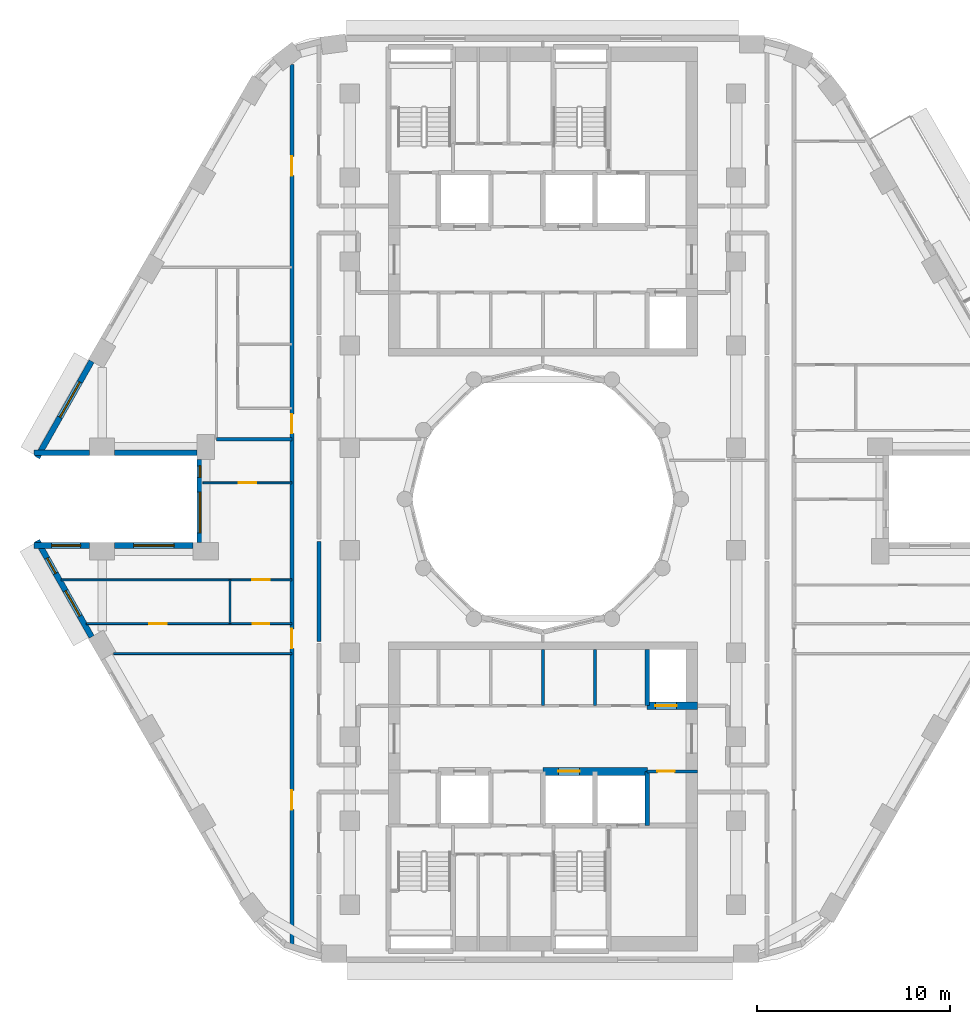
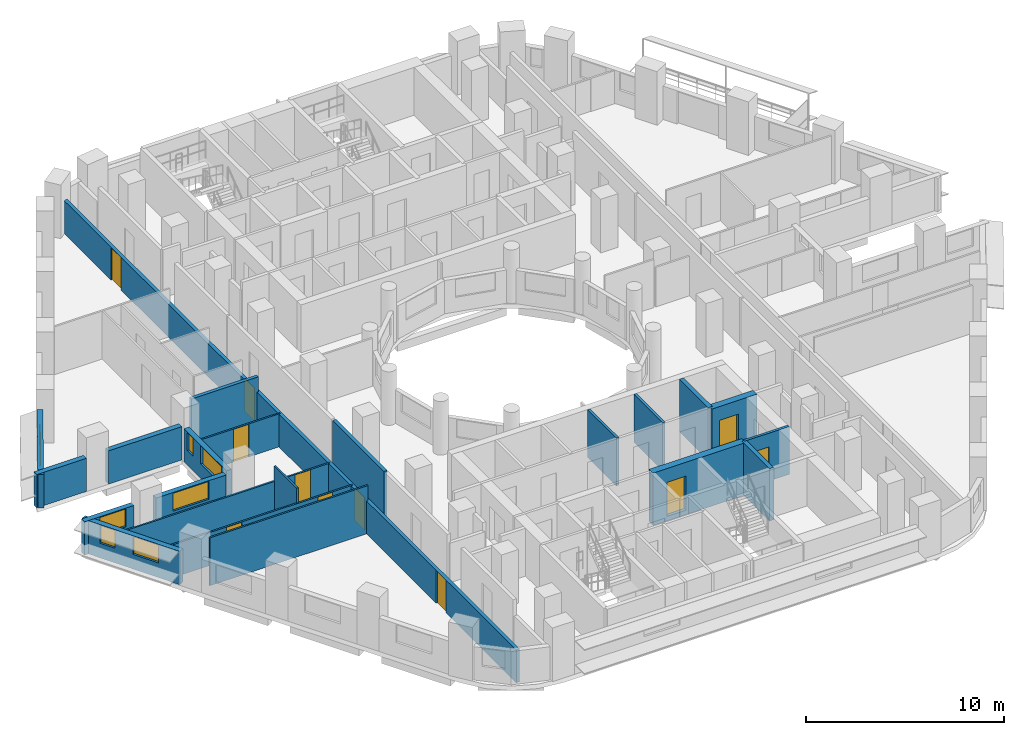
# One storey, part 4 of 14: 22 walls, 11 doors, 7 windows, 18 openings.
"""IFC4 building model written with IfcOpenShell, lengths in metres."""

from ifc_helpers import new_model, si_unit, direction, frame, frame_2d, origin, place, context, subcontext, project, spatial, rectangle, extrude, material, layer, layer_set, type_object, element, fill, save


model = new_model("IFC4")

# Units and contexts
model_context = context("Model", 3, precision=1e-05, world=origin(), true_north=direction((0.0, 1.0)))
body_context = subcontext(model_context, "Body", "Model", "MODEL_VIEW")
ifc_project = project(units=[si_unit("LENGTHUNIT", "METRE"), si_unit("AREAUNIT", "SQUARE_METRE"), si_unit("VOLUMEUNIT", "CUBIC_METRE"), si_unit("PLANEANGLEUNIT", "RADIAN"), si_unit("MASSUNIT", "GRAM", prefix="KILO")], contexts=[model_context])

# Site, building, storey
site_placement = place(None, origin())
site = spatial("IfcSite", under=ifc_project, at=site_placement, CompositionType="ELEMENT")
building_placement = place(site_placement, origin())
building = spatial("IfcBuilding", under=site, at=building_placement, Name="Nakaniwa Court", CompositionType="ELEMENT")
storey_placement = place(building_placement, frame((0.0, 0.0, 166.800048828125)))
storey = spatial("IfcBuildingStorey", under=building, at=storey_placement, Name="L44", CompositionType="ELEMENT", Elevation=166.800048828125)

# Wall
ifc_material_1 = material(Name="Acoustic double stud partition")
ifc_layer_1 = layer(ifc_material_1, 0.199951171875)
ifc_layer_set_1 = layer_set([ifc_layer_1], Name="Acoustic double stud partition")
wall_type_1 = type_object("IfcWallType", Name="Acoustic double stud partition 200", PredefinedType="PARTITIONING", material=ifc_layer_set_1)
wall_1_placement = place(storey_placement, frame((68.39990234375, 72.627197265625, 0.0), z_axis=(0.0, 0.0, 1.0), x_axis=(0.0, 1.0, 0.0)))
element("IfcWall", 1, at=wall_1_placement, inside=storey, type_object=wall_type_1, Name="Partition PW-105", PredefinedType="PARTITIONING", context=body_context, shape_type="SweptSolid", body=[
    extrude(rectangle(XDim=5.185546875, YDim=0.199951171875, at=frame_2d((2.5927734375, 0.0))), origin(), (0.0, 0.0, 1.0), 2.949951171875),
])

# Wall, openings, doors
wall_2_placement = place(storey_placement, frame((67.0, 56.833251953125, 0.0), z_axis=(0.0, 0.0, 1.0), x_axis=(0.0, 1.0, 0.0)))
wall_2 = element("IfcWall", 2, at=wall_2_placement, inside=storey, type_object=wall_type_1, Name="Partition PW-110", PredefinedType="PARTITIONING", context=body_context, shape_type="SweptSolid", body=[
    extrude(rectangle(XDim=45.660888671875, YDim=0.199951171875, at=frame_2d((22.83056640625, 0.0))), origin(), (0.0, 0.0, 1.0), 2.030029296875),
])
opening_1_placement = place(wall_2_placement, frame((7.083984375, 0.0, 0.0)))
opening_1 = element("IfcOpeningElement", 3, at=opening_1_placement, cuts=wall_2, Name="Opening D-36-02", PredefinedType="OPENING", context=body_context, shape_type="SweptSolid", body=[
    extrude(rectangle(XDim=1.0, YDim=2.010009765625, at=frame_2d((0.5, 1.0048828125))), frame((0.0, 0.10986328125, 0.0), z_axis=(0.0, -1.0, 0.0), x_axis=(1.0, 0.0, 0.0)), (0.0, 0.0, 1.0), 0.219970703125),
])
opening_2_placement = place(wall_2_placement, frame((15.44189453125, 0.0, 0.0)))
opening_2 = element("IfcOpeningElement", 4, at=opening_2_placement, cuts=wall_2, Name="Opening D-34-03", PredefinedType="OPENING", context=body_context, shape_type="SweptSolid", body=[
    extrude(rectangle(XDim=1.0, YDim=2.010009765625, at=frame_2d((0.5, 1.0048828125))), frame((0.0, 0.10986328125, 0.0), z_axis=(0.0, -1.0, 0.0), x_axis=(1.0, 0.0, 0.0)), (0.0, 0.0, 1.0), 0.219970703125),
])
opening_3_placement = place(wall_2_placement, frame((26.56689453125, 0.0, 0.0)))
opening_3 = element("IfcOpeningElement", 5, at=opening_3_placement, cuts=wall_2, Name="Opening D-34-04", PredefinedType="OPENING", context=body_context, shape_type="SweptSolid", body=[
    extrude(rectangle(XDim=1.0, YDim=2.010009765625, at=frame_2d((0.5, 1.0048828125))), frame((0.0, 0.10986328125, 0.0), z_axis=(0.0, -1.0, 0.0), x_axis=(1.0, 0.0, 0.0)), (0.0, 0.0, 1.0), 0.219970703125),
])
opening_4_placement = place(wall_2_placement, frame((39.912109375, 0.0, 0.0)))
opening_4 = element("IfcOpeningElement", 6, at=opening_4_placement, cuts=wall_2, Name="Opening D-36-03", PredefinedType="OPENING", context=body_context, shape_type="SweptSolid", body=[
    extrude(rectangle(XDim=1.0, YDim=2.010009765625, at=frame_2d((0.5, 1.0048828125))), frame((0.0, 0.10986328125, 0.0), z_axis=(0.0, -1.0, 0.0), x_axis=(1.0, 0.0, 0.0)), (0.0, 0.0, 1.0), 0.219970703125),
])
ifc_material_2 = material(Name="Solid core timber door set, black veneer", Category="wood")
door_type_1 = type_object("IfcDoorType", Name="Flat entrance door 1000 x 2010", OperationType="NOTDEFINED", PredefinedType="DOOR", material=ifc_material_2)
door_1_placement = place(opening_2_placement, origin())
door_1 = element("IfcDoor", 7, at=door_1_placement, inside=storey, type_object=door_type_1, Name="Door D-34-03 L44-044", OperationType="SINGLE_SWING_LEFT", OverallHeight=2.010009765625, OverallWidth=1.0, PredefinedType="DOOR", context=body_context, shape_type="SweptSolid", body=[
    extrude(rectangle(XDim=1.0, YDim=2.010009765625, at=frame_2d((0.5, 1.0048828125))), frame((0.0, 0.02490234375, 0.0), z_axis=(0.0, -1.0, 0.0), x_axis=(1.0, 0.0, 0.0)), (0.0, 0.0, 1.0), 0.050048828125),
])
fill(opening_2, door_1)
door_2_placement = place(opening_3_placement, origin())
door_2 = element("IfcDoor", 8, at=door_2_placement, inside=storey, type_object=door_type_1, Name="Door D-34-04 L44-049", OperationType="SINGLE_SWING_RIGHT", OverallHeight=2.010009765625, OverallWidth=1.0, PredefinedType="DOOR", context=body_context, shape_type="SweptSolid", body=[
    extrude(rectangle(XDim=1.0, YDim=2.010009765625, at=frame_2d((0.5, 1.0048828125))), frame((0.0, 0.02490234375, 0.0), z_axis=(0.0, -1.0, 0.0), x_axis=(1.0, 0.0, 0.0)), (0.0, 0.0, 1.0), 0.050048828125),
])
fill(opening_3, door_2)
door_type_2 = type_object("IfcDoorType", Name="Internal door 1000 x 2010", OperationType="NOTDEFINED", PredefinedType="DOOR", material=ifc_material_2)
door_3_placement = place(opening_1_placement, origin())
door_3 = element("IfcDoor", 9, at=door_3_placement, inside=storey, type_object=door_type_2, Name="Door D-36-02 L44-042", OperationType="SINGLE_SWING_LEFT", OverallHeight=2.010009765625, OverallWidth=1.0, PredefinedType="DOOR", context=body_context, shape_type="SweptSolid", body=[
    extrude(rectangle(XDim=1.0, YDim=2.010009765625, at=frame_2d((0.5, 1.0048828125))), frame((0.0, 0.02490234375, 0.0), z_axis=(0.0, -1.0, 0.0), x_axis=(1.0, 0.0, 0.0)), (0.0, 0.0, 1.0), 0.050048828125),
])
fill(opening_1, door_3)
door_4_placement = place(opening_4_placement, origin())
door_4 = element("IfcDoor", 10, at=door_4_placement, inside=storey, type_object=door_type_2, Name="Door D-36-03 L44-056", OperationType="SINGLE_SWING_LEFT", OverallHeight=2.010009765625, OverallWidth=1.0, PredefinedType="DOOR", context=body_context, shape_type="SweptSolid", body=[
    extrude(rectangle(XDim=1.0, YDim=2.010009765625, at=frame_2d((0.5, 1.0048828125))), frame((0.0, 0.02490234375, 0.0), z_axis=(0.0, -1.0, 0.0), x_axis=(1.0, 0.0, 0.0)), (0.0, 0.0, 1.0), 0.050048828125),
])
fill(opening_4, door_4)

# Wall
wall_3_placement = place(storey_placement, frame((63.095947265625, 83.10009765625, 0.0), z_axis=(0.0, 0.0, 1.0), x_axis=(1.0, 0.0, 0.0)))
element("IfcWall", 11, at=wall_3_placement, inside=storey, type_object=wall_type_1, Name="Partition PW-137", PredefinedType="PARTITIONING", context=body_context, shape_type="SweptSolid", body=[
    extrude(rectangle(XDim=3.903076171875, YDim=0.199951171875, at=frame_2d((1.95166015625, 0.0))), origin(), (0.0, 0.0, 1.0), 2.949951171875),
])

# Wall, opening, window
ifc_material_3 = material(Name="Charcoal ceramic cladding")
ifc_layer_2 = layer(ifc_material_3, 0.02, Name="Ceramic cladding")
ifc_material_4 = material(Name="Ventilated air cavity")
ifc_layer_3 = layer(ifc_material_4, 0.04, ventilated=True, Name="Ventilated cavity")
ifc_material_5 = material(Name="Mineral wool insulation")
ifc_layer_4 = layer(ifc_material_5, 0.1, Name="Insulation")
ifc_material_6 = material(Name="Cement bonded sheathing board")
ifc_layer_5 = layer(ifc_material_6, 0.012, Name="Sheathing")
ifc_material_7 = material(Name="Cold-formed galvanised stud frame with mineral wool infill")
ifc_layer_6 = layer(ifc_material_7, 0.1, Name="Stud frame")
ifc_material_8 = material(Name="Fire-rated gypsum plasterboard lining")
ifc_layer_7 = layer(ifc_material_8, 0.028, Name="Lining")
ifc_layer_set_2 = layer_set([ifc_layer_2, ifc_layer_3, ifc_layer_4, ifc_layer_5, ifc_layer_6, ifc_layer_7], Name="Charcoal ceramic faced external wall system")
wall_type_2 = type_object("IfcWallType", Name="Black ceramic faced external wall 300", PredefinedType="SOLIDWALL", material=ifc_layer_set_2)
wall_4_placement = place(storey_placement, frame((56.63427734375, 87.13720703125, 0.0), z_axis=(0.0, 0.0, 1.0), x_axis=(-0.492498306264, -0.87031340236, 0.0)))
wall_4 = element("IfcWall", 12, at=wall_4_placement, inside=storey, type_object=wall_type_2, Name="L44 external wall 14", PredefinedType="SOLIDWALL", context=body_context, shape_type="SweptSolid", body=[
    extrude(rectangle(XDim=5.7265625, YDim=0.300048828125, at=frame_2d((2.86328125, 0.0))), origin(), (0.0, 0.0, 1.0), 2.050048828125),
])
opening_5_placement = place(wall_4_placement, frame((1.23388671875, 0.0, 0.89990234375)))
opening_5 = element("IfcOpeningElement", 13, at=opening_5_placement, cuts=wall_4, Name="Opening W7.12", PredefinedType="OPENING", context=body_context, shape_type="SweptSolid", body=[
    extrude(rectangle(XDim=2.10009765625, YDim=1.10009765625, at=frame_2d((1.050048828125, 0.550048828125))), frame((0.0, 0.159912109375, 0.0), z_axis=(0.0, -1.0, 0.0), x_axis=(1.0, 0.0, 0.0)), (0.0, 0.0, 1.0), 0.320068359375),
])
ifc_material_9 = material(Name="Black anodised aluminium frame with dark low-E laminated double glazing", Category="aluminium")
window_type_1 = type_object("IfcWindowType", Name="Dark glass window 2100x1100 sill 900", PartitioningType="SINGLE_PANEL", PredefinedType="WINDOW", material=ifc_material_9)
window_1_placement = place(opening_5_placement, origin())
window_1 = element("IfcWindow", 14, at=window_1_placement, inside=storey, type_object=window_type_1, Name="L44 living window 14-0", OverallHeight=1.10009765625, OverallWidth=2.10009765625, PartitioningType="SINGLE_PANEL", PredefinedType="WINDOW", context=body_context, shape_type="SweptSolid", body=[
    extrude(rectangle(XDim=2.10009765625, YDim=1.10009765625, at=frame_2d((1.050048828125, 0.550048828125))), frame((0.0, 0.030029296875, 0.0), z_axis=(0.0, -1.0, 0.0), x_axis=(1.0, 0.0, 0.0)), (0.0, 0.0, 1.0), 0.06005859375),
])
fill(opening_5, window_1)

# Walls
wall_5_placement = place(storey_placement, frame((53.643310546875, 82.39990234375, 0.0), z_axis=(0.0, 0.0, 1.0), x_axis=(1.0, 0.0, 0.0)))
element("IfcWall", 15, at=wall_5_placement, inside=storey, type_object=wall_type_2, Name="L44 external wall 15", PredefinedType="SOLIDWALL", context=body_context, shape_type="SweptSolid", body=[
    extrude(rectangle(XDim=2.8876953125, YDim=0.300048828125, at=frame_2d((1.44384765625, 0.0))), origin(), (0.0, 0.0, 1.0), 2.050048828125),
])
wall_6_placement = place(storey_placement, frame((57.822998046875, 82.39990234375, 0.0), z_axis=(0.0, 0.0, 1.0), x_axis=(1.0, 0.0, 0.0)))
element("IfcWall", 16, at=wall_6_placement, inside=storey, type_object=wall_type_2, Name="L44 external wall 16", PredefinedType="SOLIDWALL", context=body_context, shape_type="SweptSolid", body=[
    extrude(rectangle(XDim=4.272705078125, YDim=0.300048828125, at=frame_2d((2.13623046875, 0.0))), origin(), (0.0, 0.0, 1.0), 2.050048828125),
])

# Wall, openings, windows
wall_7_placement = place(storey_placement, frame((62.24169921875, 82.053955078125, 0.0), z_axis=(0.0, 0.0, 1.0), x_axis=(0.0, -1.0, 0.0)))
wall_7 = element("IfcWall", 17, at=wall_7_placement, inside=storey, type_object=wall_type_2, Name="L44 external wall 17", PredefinedType="SOLIDWALL", context=body_context, shape_type="SweptSolid", body=[
    extrude(rectangle(XDim=4.307861328125, YDim=0.300048828125, at=frame_2d((2.15380859375, 0.0))), origin(), (0.0, 0.0, 1.0), 2.050048828125),
])
opening_6_placement = place(wall_7_placement, frame((0.3330078125, 0.0, 0.89990234375)))
opening_6 = element("IfcOpeningElement", 18, at=opening_6_placement, cuts=wall_7, Name="Opening W8.13", PredefinedType="OPENING", context=body_context, shape_type="SweptSolid", body=[
    extrude(rectangle(XDim=0.60009765625, YDim=1.10009765625, at=frame_2d((0.300048828125, 0.550048828125))), frame((0.0, 0.159912109375, 0.0), z_axis=(0.0, -1.0, 0.0), x_axis=(1.0, 0.0, 0.0)), (0.0, 0.0, 1.0), 0.320068359375),
])
opening_7_placement = place(wall_7_placement, frame((1.699951171875, 0.0, 0.89990234375)))
opening_7 = element("IfcOpeningElement", 19, at=opening_7_placement, cuts=wall_7, Name="Opening W7.14", PredefinedType="OPENING", context=body_context, shape_type="SweptSolid", body=[
    extrude(rectangle(XDim=2.10009765625, YDim=1.10009765625, at=frame_2d((1.050048828125, 0.550048828125))), frame((0.0, 0.159912109375, 0.0), z_axis=(0.0, -1.0, 0.0), x_axis=(1.0, 0.0, 0.0)), (0.0, 0.0, 1.0), 0.320068359375),
])
window_2_placement = place(opening_7_placement, origin())
window_2 = element("IfcWindow", 20, at=window_2_placement, inside=storey, type_object=window_type_1, Name="L44 living window 17-1", OverallHeight=1.10009765625, OverallWidth=2.10009765625, PartitioningType="SINGLE_PANEL", PredefinedType="WINDOW", context=body_context, shape_type="SweptSolid", body=[
    extrude(rectangle(XDim=2.10009765625, YDim=1.10009765625, at=frame_2d((1.050048828125, 0.550048828125))), frame((0.0, 0.030029296875, 0.0), z_axis=(0.0, -1.0, 0.0), x_axis=(1.0, 0.0, 0.0)), (0.0, 0.0, 1.0), 0.06005859375),
])
fill(opening_7, window_2)
window_type_2 = type_object("IfcWindowType", Name="Dark glass window 600x1100 sill 900", PartitioningType="SINGLE_PANEL", PredefinedType="WINDOW", material=ifc_material_9)
window_3_placement = place(opening_6_placement, origin())
window_3 = element("IfcWindow", 21, at=window_3_placement, inside=storey, type_object=window_type_2, Name="L44 habitable room window 17-0", OverallHeight=1.10009765625, OverallWidth=0.60009765625, PartitioningType="SINGLE_PANEL", PredefinedType="WINDOW", context=body_context, shape_type="SweptSolid", body=[
    extrude(rectangle(XDim=0.60009765625, YDim=1.10009765625, at=frame_2d((0.300048828125, 0.550048828125))), frame((0.0, 0.030029296875, 0.0), z_axis=(0.0, -1.0, 0.0), x_axis=(1.0, 0.0, 0.0)), (0.0, 0.0, 1.0), 0.06005859375),
])
fill(opening_6, window_3)

# Wall, opening, window
wall_8_placement = place(storey_placement, frame((61.8955078125, 77.60009765625, 0.0), z_axis=(0.0, 0.0, 1.0), x_axis=(-1.0, 0.0, 0.0)))
wall_8 = element("IfcWall", 22, at=wall_8_placement, inside=storey, type_object=wall_type_2, Name="L44 external wall 18", PredefinedType="SOLIDWALL", context=body_context, shape_type="SweptSolid", body=[
    extrude(rectangle(XDim=4.072509765625, YDim=0.300048828125, at=frame_2d((2.0361328125, 0.0))), origin(), (0.0, 0.0, 1.0), 2.050048828125),
])
opening_8_placement = place(wall_8_placement, frame((0.986083984375, 0.0, 0.89990234375)))
opening_8 = element("IfcOpeningElement", 23, at=opening_8_placement, cuts=wall_8, Name="Opening W7.15", PredefinedType="OPENING", context=body_context, shape_type="SweptSolid", body=[
    extrude(rectangle(XDim=2.10009765625, YDim=1.10009765625, at=frame_2d((1.050048828125, 0.550048828125))), frame((0.0, 0.159912109375, 0.0), z_axis=(0.0, -1.0, 0.0), x_axis=(1.0, 0.0, 0.0)), (0.0, 0.0, 1.0), 0.320068359375),
])
window_4_placement = place(opening_8_placement, origin())
window_4 = element("IfcWindow", 24, at=window_4_placement, inside=storey, type_object=window_type_1, Name="L44 living window 18-0", OverallHeight=1.10009765625, OverallWidth=2.10009765625, PartitioningType="SINGLE_PANEL", PredefinedType="WINDOW", context=body_context, shape_type="SweptSolid", body=[
    extrude(rectangle(XDim=2.10009765625, YDim=1.10009765625, at=frame_2d((1.050048828125, 0.550048828125))), frame((0.0, 0.030029296875, 0.0), z_axis=(0.0, -1.0, 0.0), x_axis=(1.0, 0.0, 0.0)), (0.0, 0.0, 1.0), 0.06005859375),
])
fill(opening_8, window_4)

wall_9_placement = place(storey_placement, frame((56.531005859375, 77.60009765625, 0.0), z_axis=(0.0, 0.0, 1.0), x_axis=(-1.0, 0.0, 0.0)))
wall_9 = element("IfcWall", 25, at=wall_9_placement, inside=storey, type_object=wall_type_2, Name="L44 external wall 19", PredefinedType="SOLIDWALL", context=body_context, shape_type="SweptSolid", body=[
    extrude(rectangle(XDim=2.8876953125, YDim=0.300048828125, at=frame_2d((1.44384765625, 0.0))), origin(), (0.0, 0.0, 1.0), 2.050048828125),
])
opening_9_placement = place(wall_9_placement, frame((0.468994140625, 0.0, 0.89990234375)))
opening_9 = element("IfcOpeningElement", 26, at=opening_9_placement, cuts=wall_9, Name="Opening W5.16", PredefinedType="OPENING", context=body_context, shape_type="SweptSolid", body=[
    extrude(rectangle(XDim=1.5, YDim=1.10009765625, at=frame_2d((0.75, 0.550048828125))), frame((0.0, 0.159912109375, 0.0), z_axis=(0.0, -1.0, 0.0), x_axis=(1.0, 0.0, 0.0)), (0.0, 0.0, 1.0), 0.320068359375),
])
window_type_3 = type_object("IfcWindowType", Name="Dark glass window 1500x1100 sill 900", PartitioningType="SINGLE_PANEL", PredefinedType="WINDOW", material=ifc_material_9)
window_5_placement = place(opening_9_placement, origin())
window_5 = element("IfcWindow", 27, at=window_5_placement, inside=storey, type_object=window_type_3, Name="L44 living window 19-0", OverallHeight=1.10009765625, OverallWidth=1.5, PartitioningType="SINGLE_PANEL", PredefinedType="WINDOW", context=body_context, shape_type="SweptSolid", body=[
    extrude(rectangle(XDim=1.5, YDim=1.10009765625, at=frame_2d((0.75, 0.550048828125))), frame((0.0, 0.030029296875, 0.0), z_axis=(0.0, -1.0, 0.0), x_axis=(1.0, 0.0, 0.0)), (0.0, 0.0, 1.0), 0.06005859375),
])
fill(opening_9, window_5)

# Wall, openings, windows
wall_10_placement = place(storey_placement, frame((53.81396484375, 77.8466796875, 0.0), z_axis=(0.0, 0.0, 1.0), x_axis=(0.492498306264, -0.87031340236, 0.0)))
wall_10 = element("IfcWall", 28, at=wall_10_placement, inside=storey, type_object=wall_type_2, Name="L44 external wall 20", PredefinedType="SOLIDWALL", context=body_context, shape_type="SweptSolid", body=[
    extrude(rectangle(XDim=5.7265625, YDim=0.300048828125, at=frame_2d((2.86328125, 0.0))), origin(), (0.0, 0.0, 1.0), 2.050048828125),
])
opening_10_placement = place(wall_10_placement, frame((1.043212890625, 0.0, 0.89990234375)))
opening_10 = element("IfcOpeningElement", 29, at=opening_10_placement, cuts=wall_10, Name="Opening W9.17", PredefinedType="OPENING", context=body_context, shape_type="SweptSolid", body=[
    extrude(rectangle(XDim=0.89990234375, YDim=1.10009765625, at=frame_2d((0.449951171875, 0.550048828125))), frame((0.0, 0.159912109375, 0.0), z_axis=(0.0, -1.0, 0.0), x_axis=(1.0, 0.0, 0.0)), (0.0, 0.0, 1.0), 0.320068359375),
])
opening_11_placement = place(wall_10_placement, frame((2.983642578125, 0.0, 0.89990234375)))
opening_11 = element("IfcOpeningElement", 30, at=opening_11_placement, cuts=wall_10, Name="Opening W5.18", PredefinedType="OPENING", context=body_context, shape_type="SweptSolid", body=[
    extrude(rectangle(XDim=1.5, YDim=1.10009765625, at=frame_2d((0.75, 0.550048828125))), frame((0.0, 0.159912109375, 0.0), z_axis=(0.0, -1.0, 0.0), x_axis=(1.0, 0.0, 0.0)), (0.0, 0.0, 1.0), 0.320068359375),
])
window_6_placement = place(opening_11_placement, origin())
window_6 = element("IfcWindow", 31, at=window_6_placement, inside=storey, type_object=window_type_3, Name="L44 habitable room window 20-1", OverallHeight=1.10009765625, OverallWidth=1.5, PartitioningType="SINGLE_PANEL", PredefinedType="WINDOW", context=body_context, shape_type="SweptSolid", body=[
    extrude(rectangle(XDim=1.5, YDim=1.10009765625, at=frame_2d((0.75, 0.550048828125))), frame((0.0, 0.030029296875, 0.0), z_axis=(0.0, -1.0, 0.0), x_axis=(1.0, 0.0, 0.0)), (0.0, 0.0, 1.0), 0.06005859375),
])
fill(opening_11, window_6)
window_type_4 = type_object("IfcWindowType", Name="Dark glass window 900x1100 sill 900", PartitioningType="SINGLE_PANEL", PredefinedType="WINDOW", material=ifc_material_9)
window_7_placement = place(opening_10_placement, origin())
window_7 = element("IfcWindow", 32, at=window_7_placement, inside=storey, type_object=window_type_4, Name="L44 living window 20-0", OverallHeight=1.10009765625, OverallWidth=0.89990234375, PartitioningType="SINGLE_PANEL", PredefinedType="WINDOW", context=body_context, shape_type="SweptSolid", body=[
    extrude(rectangle(XDim=0.89990234375, YDim=1.10009765625, at=frame_2d((0.449951171875, 0.550048828125))), frame((0.0, 0.030029296875, 0.0), z_axis=(0.0, -1.0, 0.0), x_axis=(1.0, 0.0, 0.0)), (0.0, 0.0, 1.0), 0.06005859375),
])
fill(opening_10, window_7)

# Walls
ifc_material_10 = material(Name="Blockwork partition", Category="masonry")
ifc_layer_8 = layer(ifc_material_10, 0.14990234375)
ifc_layer_set_3 = layer_set([ifc_layer_8], Name="Blockwork partition")
wall_type_3 = type_object("IfcWallType", Name="Blockwork partition 150", PredefinedType="PARTITIONING", material=ifc_layer_set_3)
for number, where, z_axis, x_axis, name in (
    (33, (80.0, 69.300048828125, 0.0), (0.0, 0.0, 1.0), (0.0, 1.0, 0.0), "Partition PW-045"),
    (34, (82.699951171875, 69.300048828125, 0.0), (0.0, 0.0, 1.0), (0.0, 1.0, 0.0), "Partition PW-046"),
):
    element("IfcWall", number, at=place(storey_placement, frame(where, z_axis=z_axis, x_axis=x_axis)), inside=storey, type_object=wall_type_3, Name=name, PredefinedType="PARTITIONING", context=body_context, shape_type="SweptSolid", body=[
        extrude(rectangle(XDim=2.89990234375, YDim=0.14990234375, at=frame_2d((1.449951171875, 0.0))), origin(), (0.0, 0.0, 1.0), 2.949951171875),
    ])

# Wall, opening, door
wall_11_placement = place(storey_placement, frame((88.0, 65.89990234375, 0.0), z_axis=(0.0, 0.0, 1.0), x_axis=(-1.0, 0.0, 0.0)))
wall_11 = element("IfcWall", 35, at=wall_11_placement, inside=storey, type_object=wall_type_3, Name="Partition PW-049", PredefinedType="PARTITIONING", context=body_context, shape_type="SweptSolid", body=[
    extrude(rectangle(XDim=2.60302734375, YDim=0.14990234375, at=frame_2d((1.301513671875, 0.0))), origin(), (0.0, 0.0, 1.0), 2.949951171875),
])
opening_12_placement = place(wall_11_placement, frame((1.175048828125, 0.0, 0.0)))
opening_12 = element("IfcOpeningElement", 36, at=opening_12_placement, cuts=wall_11, Name="Opening D-05-15", PredefinedType="OPENING", context=body_context, shape_type="SweptSolid", body=[
    extrude(rectangle(XDim=0.89990234375, YDim=2.10009765625, at=frame_2d((0.449951171875, 1.050048828125))), frame((0.0, 0.0849609375, 0.0), z_axis=(0.0, -1.0, 0.0), x_axis=(1.0, 0.0, 0.0)), (0.0, 0.0, 1.0), 0.169921875),
])
ifc_material_11 = material(Name="Fire rated steel door set", Category="steel")
door_type_3 = type_object("IfcDoorType", Name="Service room door 900", OperationType="NOTDEFINED", PredefinedType="DOOR", material=ifc_material_11)
door_5_placement = place(opening_12_placement, origin())
door_5 = element("IfcDoor", 37, at=door_5_placement, inside=storey, type_object=door_type_3, Name="Door D-05-15 L44-022", OperationType="SINGLE_SWING_LEFT", OverallHeight=2.10009765625, OverallWidth=0.89990234375, PredefinedType="DOOR", context=body_context, shape_type="SweptSolid", body=[
    extrude(rectangle(XDim=0.89990234375, YDim=2.10009765625, at=frame_2d((0.449951171875, 1.050048828125))), frame((0.0, 0.02490234375, 0.0), z_axis=(0.0, -1.0, 0.0), x_axis=(1.0, 0.0, 0.0)), (0.0, 0.0, 1.0), 0.050048828125),
])
fill(opening_12, door_5)

ifc_material_12 = material(Name="Concrete C80/100", Category="concrete")
ifc_layer_9 = layer(ifc_material_12, 0.39990234375)
ifc_layer_set_4 = layer_set([ifc_layer_9], Name="Concrete C80/100")
wall_type_4 = type_object("IfcWallType", Name="Concrete core spine wall 400 C80", PredefinedType="SHEAR", material=ifc_layer_set_4)
wall_12_placement = place(storey_placement, frame((85.39990234375, 69.300048828125, -0.275146484375), z_axis=(0.0, 0.0, 1.0), x_axis=(1.0, 0.0, 0.0)))
wall_12 = element("IfcWall", 38, at=wall_12_placement, inside=storey, type_object=wall_type_4, Name="Core wall SW-42", PredefinedType="SHEAR", context=body_context, shape_type="SweptSolid", body=[
    extrude(rectangle(XDim=2.60009765625, YDim=0.39990234375, at=frame_2d((1.300048828125, 0.0))), origin(), (0.0, 0.0, 1.0), 3.22509765625),
])
opening_13_placement = place(wall_12_placement, frame((0.425048828125, 0.0, 0.27490234375)))
opening_13 = element("IfcOpeningElement", 39, at=opening_13_placement, cuts=wall_12, Name="Opening LD05", PredefinedType="OPENING", context=body_context, shape_type="SweptSolid", body=[
    extrude(rectangle(XDim=1.10009765625, YDim=2.10009765625, at=frame_2d((0.550048828125, 1.050048828125))), frame((0.0, 0.2099609375, 0.0), z_axis=(0.0, -1.0, 0.0), x_axis=(1.0, 0.0, 0.0)), (0.0, 0.0, 1.0), 0.419921875),
])
ifc_material_13 = material(Name="Stainless steel sliding lift landing door", Category="steel")
door_type_4 = type_object("IfcDoorType", Name="Lift landing door 1100", OperationType="NOTDEFINED", PredefinedType="DOOR", material=ifc_material_13)
door_6_placement = place(opening_13_placement, origin())
door_6 = element("IfcDoor", 40, at=door_6_placement, inside=storey, type_object=door_type_4, Name="Lift landing door LD05 L44-005", OperationType="SLIDING_TO_LEFT", OverallHeight=2.10009765625, OverallWidth=1.10009765625, PredefinedType="DOOR", context=body_context, shape_type="SweptSolid", body=[
    extrude(rectangle(XDim=1.10009765625, YDim=2.10009765625, at=frame_2d((0.550048828125, 1.050048828125))), frame((0.0, 0.02490234375, 0.0), z_axis=(0.0, -1.0, 0.0), x_axis=(1.0, 0.0, 0.0)), (0.0, 0.0, 1.0), 0.050048828125),
])
fill(opening_13, door_6)

wall_13_placement = place(storey_placement, frame((79.9970703125, 65.89990234375, -0.275146484375), z_axis=(0.0, 0.0, 1.0), x_axis=(1.0, 0.0, 0.0)))
wall_13 = element("IfcWall", 41, at=wall_13_placement, inside=storey, type_object=wall_type_4, Name="Core wall SW-51", PredefinedType="SHEAR", context=body_context, shape_type="SweptSolid", body=[
    extrude(rectangle(XDim=5.406005859375, YDim=0.39990234375, at=frame_2d((2.703125, 0.0))), origin(), (0.0, 0.0, 1.0), 3.22509765625),
])
opening_14_placement = place(wall_13_placement, frame((0.802978515625, 0.0, 0.27490234375)))
opening_14 = element("IfcOpeningElement", 42, at=opening_14_placement, cuts=wall_13, Name="Opening LD07", PredefinedType="OPENING", context=body_context, shape_type="SweptSolid", body=[
    extrude(rectangle(XDim=1.10009765625, YDim=2.10009765625, at=frame_2d((0.550048828125, 1.050048828125))), frame((0.0, 0.2099609375, 0.0), z_axis=(0.0, -1.0, 0.0), x_axis=(1.0, 0.0, 0.0)), (0.0, 0.0, 1.0), 0.419921875),
])
door_7_placement = place(opening_14_placement, origin())
door_7 = element("IfcDoor", 43, at=door_7_placement, inside=storey, type_object=door_type_4, Name="Lift landing door LD07 L44-007", OperationType="SLIDING_TO_LEFT", OverallHeight=2.10009765625, OverallWidth=1.10009765625, PredefinedType="DOOR", context=body_context, shape_type="SweptSolid", body=[
    extrude(rectangle(XDim=1.10009765625, YDim=2.10009765625, at=frame_2d((0.550048828125, 1.050048828125))), frame((0.0, 0.02490234375, 0.0), z_axis=(0.0, -1.0, 0.0), x_axis=(1.0, 0.0, 0.0)), (0.0, 0.0, 1.0), 0.050048828125),
])
fill(opening_14, door_7)

# Walls
ifc_layer_10 = layer(ifc_material_12, 0.25)
ifc_layer_set_5 = layer_set([ifc_layer_10], Name="Concrete C80/100")
wall_type_5 = type_object("IfcWallType", Name="Concrete shaft wall 250 C80", PredefinedType="SHEAR", material=ifc_layer_set_5)
wall_14_placement = place(storey_placement, frame((85.39990234375, 63.10009765625, -0.275146484375), z_axis=(0.0, 0.0, 1.0), x_axis=(0.0, 1.0, 0.0)))
element("IfcWall", 44, at=wall_14_placement, inside=storey, type_object=wall_type_5, Name="Core wall SW-40", PredefinedType="SHEAR", context=body_context, shape_type="SweptSolid", body=[
    extrude(rectangle(XDim=2.7998046875, YDim=0.25, at=frame_2d((1.39990234375, 0.0))), origin(), (0.0, 0.0, 1.0), 3.22509765625),
])
wall_15_placement = place(storey_placement, frame((85.39990234375, 69.300048828125, -0.275146484375), z_axis=(0.0, 0.0, 1.0), x_axis=(0.0, 1.0, 0.0)))
element("IfcWall", 45, at=wall_15_placement, inside=storey, type_object=wall_type_5, Name="Core wall SW-41", PredefinedType="SHEAR", context=body_context, shape_type="SweptSolid", body=[
    extrude(rectangle(XDim=2.89990234375, YDim=0.25, at=frame_2d((1.449951171875, 0.0))), origin(), (0.0, 0.0, 1.0), 3.22509765625),
])
ifc_material_14 = material(Name="Single stud plasterboard partition")
ifc_layer_11 = layer(ifc_material_14, 0.10009765625)
ifc_layer_set_6 = layer_set([ifc_layer_11], Name="Single stud plasterboard partition")
wall_type_6 = type_object("IfcWallType", Name="Single stud plasterboard partition 100", PredefinedType="PARTITIONING", material=ifc_layer_set_6)
wall_16_placement = place(storey_placement, frame((57.771728515625, 72.0, 0.0), z_axis=(0.0, 0.0, 1.0), x_axis=(1.0, 0.0, 0.0)))
element("IfcWall", 46, at=wall_16_placement, inside=storey, type_object=wall_type_6, Name="Partition PW-119", PredefinedType="PARTITIONING", context=body_context, shape_type="SweptSolid", body=[
    extrude(rectangle(XDim=9.22705078125, YDim=0.10009765625, at=frame_2d((4.613525390625, 0.0))), origin(), (0.0, 0.0, 1.0), 2.949951171875),
])

# Wall, openings, doors
wall_17_placement = place(storey_placement, frame((56.357421875, 73.550048828125, 0.0), z_axis=(0.0, 0.0, 1.0), x_axis=(1.0, 0.0, 0.0)))
wall_17 = element("IfcWall", 47, at=wall_17_placement, inside=storey, type_object=wall_type_6, Name="Partition PW-123", PredefinedType="PARTITIONING", context=body_context, shape_type="SweptSolid", body=[
    extrude(rectangle(XDim=10.6416015625, YDim=0.10009765625, at=frame_2d((5.32080078125, 0.0))), origin(), (0.0, 0.0, 1.0), 2.030029296875),
])
opening_15_placement = place(wall_17_placement, frame((8.616943359375, 0.0, 0.0)))
opening_15 = element("IfcOpeningElement", 48, at=opening_15_placement, cuts=wall_17, Name="Opening D-38-03", PredefinedType="OPENING", context=body_context, shape_type="SweptSolid", body=[
    extrude(rectangle(XDim=0.85009765625, YDim=2.010009765625, at=frame_2d((0.425048828125, 1.0048828125))), frame((0.0, 0.06005859375, 0.0), z_axis=(0.0, -1.0, 0.0), x_axis=(1.0, 0.0, 0.0)), (0.0, 0.0, 1.0), 0.1201171875),
])
opening_16_placement = place(wall_17_placement, frame((3.27099609375, 0.0, 0.0)))
opening_16 = element("IfcOpeningElement", 49, at=opening_16_placement, cuts=wall_17, Name="Opening D-37-05", PredefinedType="OPENING", context=body_context, shape_type="SweptSolid", body=[
    extrude(rectangle(XDim=0.89990234375, YDim=2.010009765625, at=frame_2d((0.449951171875, 1.0048828125))), frame((0.0, 0.06005859375, 0.0), z_axis=(0.0, -1.0, 0.0), x_axis=(1.0, 0.0, 0.0)), (0.0, 0.0, 1.0), 0.1201171875),
])
ifc_material_15 = material(Name="Moisture sealed timber door set", Category="wood")
door_type_5 = type_object("IfcDoorType", Name="Bathroom door 850 x 2010", OperationType="NOTDEFINED", PredefinedType="DOOR", material=ifc_material_15)
door_8_placement = place(opening_15_placement, origin())
door_8 = element("IfcDoor", 50, at=door_8_placement, inside=storey, type_object=door_type_5, Name="Door D-38-03 L44-045", OperationType="SINGLE_SWING_RIGHT", OverallHeight=2.010009765625, OverallWidth=0.85009765625, PredefinedType="DOOR", context=body_context, shape_type="SweptSolid", body=[
    extrude(rectangle(XDim=0.85009765625, YDim=2.010009765625, at=frame_2d((0.425048828125, 1.0048828125))), frame((0.0, 0.02490234375, 0.0), z_axis=(0.0, -1.0, 0.0), x_axis=(1.0, 0.0, 0.0)), (0.0, 0.0, 1.0), 0.050048828125),
])
fill(opening_15, door_8)
door_type_6 = type_object("IfcDoorType", Name="Internal door 900 x 2010", OperationType="NOTDEFINED", PredefinedType="DOOR", material=ifc_material_2)
door_9_placement = place(opening_16_placement, origin())
door_9 = element("IfcDoor", 51, at=door_9_placement, inside=storey, type_object=door_type_6, Name="Door D-37-05 L44-046", OperationType="SINGLE_SWING_LEFT", OverallHeight=2.010009765625, OverallWidth=0.89990234375, PredefinedType="DOOR", context=body_context, shape_type="SweptSolid", body=[
    extrude(rectangle(XDim=0.89990234375, YDim=2.010009765625, at=frame_2d((0.449951171875, 1.0048828125))), frame((0.0, 0.02490234375, 0.0), z_axis=(0.0, -1.0, 0.0), x_axis=(1.0, 0.0, 0.0)), (0.0, 0.0, 1.0), 0.050048828125),
])
fill(opening_16, door_9)

# Wall
wall_18_placement = place(storey_placement, frame((63.799072265625, 73.550048828125, 0.0), z_axis=(0.0, 0.0, 1.0), x_axis=(0.0, 1.0, 0.0)))
element("IfcWall", 52, at=wall_18_placement, inside=storey, type_object=wall_type_6, Name="Partition PW-134", PredefinedType="PARTITIONING", context=body_context, shape_type="SweptSolid", body=[
    extrude(rectangle(XDim=2.26171875, YDim=0.10009765625, at=frame_2d((1.130859375, 0.0))), origin(), (0.0, 0.0, 1.0), 2.949951171875),
])

# Wall, opening, door
wall_19_placement = place(storey_placement, frame((55.051513671875, 75.81201171875, 0.0), z_axis=(0.0, 0.0, 1.0), x_axis=(1.0, 0.0, 0.0)))
wall_19 = element("IfcWall", 53, at=wall_19_placement, inside=storey, type_object=wall_type_6, Name="Partition PW-135", PredefinedType="PARTITIONING", context=body_context, shape_type="SweptSolid", body=[
    extrude(rectangle(XDim=11.947509765625, YDim=0.10009765625, at=frame_2d((5.9736328125, 0.0))), origin(), (0.0, 0.0, 1.0), 2.030029296875),
])
opening_17_placement = place(wall_19_placement, frame((9.89599609375, 0.0, 0.0)))
opening_17 = element("IfcOpeningElement", 54, at=opening_17_placement, cuts=wall_19, Name="Opening D-37-06", PredefinedType="OPENING", context=body_context, shape_type="SweptSolid", body=[
    extrude(rectangle(XDim=0.89990234375, YDim=2.010009765625, at=frame_2d((0.449951171875, 1.0048828125))), frame((0.0, 0.06005859375, 0.0), z_axis=(0.0, -1.0, 0.0), x_axis=(1.0, 0.0, 0.0)), (0.0, 0.0, 1.0), 0.1201171875),
])
door_10_placement = place(opening_17_placement, origin())
door_10 = element("IfcDoor", 55, at=door_10_placement, inside=storey, type_object=door_type_6, Name="Door D-37-06 L44-047", OperationType="SINGLE_SWING_RIGHT", OverallHeight=2.010009765625, OverallWidth=0.89990234375, PredefinedType="DOOR", context=body_context, shape_type="SweptSolid", body=[
    extrude(rectangle(XDim=0.89990234375, YDim=2.010009765625, at=frame_2d((0.449951171875, 1.0048828125))), frame((0.0, 0.02490234375, 0.0), z_axis=(0.0, -1.0, 0.0), x_axis=(1.0, 0.0, 0.0)), (0.0, 0.0, 1.0), 0.050048828125),
])
fill(opening_17, door_10)

wall_20_placement = place(storey_placement, frame((62.3916015625, 80.837890625, 0.0), z_axis=(0.0, 0.0, 1.0), x_axis=(1.0, 0.0, 0.0)))
wall_20 = element("IfcWall", 56, at=wall_20_placement, inside=storey, type_object=wall_type_6, Name="Partition PW-136", PredefinedType="PARTITIONING", context=body_context, shape_type="SweptSolid", body=[
    extrude(rectangle(XDim=4.607421875, YDim=0.10009765625, at=frame_2d((2.3037109375, 0.0))), origin(), (0.0, 0.0, 1.0), 2.030029296875),
])
opening_18_placement = place(wall_20_placement, frame((1.85400390625, 0.0, 0.0)))
opening_18 = element("IfcOpeningElement", 57, at=opening_18_placement, cuts=wall_20, Name="Opening D-37-07", PredefinedType="OPENING", context=body_context, shape_type="SweptSolid", body=[
    extrude(rectangle(XDim=0.89990234375, YDim=2.010009765625, at=frame_2d((0.449951171875, 1.0048828125))), frame((0.0, 0.06005859375, 0.0), z_axis=(0.0, -1.0, 0.0), x_axis=(1.0, 0.0, 0.0)), (0.0, 0.0, 1.0), 0.1201171875),
])
door_11_placement = place(opening_18_placement, origin())
door_11 = element("IfcDoor", 58, at=door_11_placement, inside=storey, type_object=door_type_6, Name="Door D-37-07 L44-048", OperationType="SINGLE_SWING_LEFT", OverallHeight=2.010009765625, OverallWidth=0.89990234375, PredefinedType="DOOR", context=body_context, shape_type="SweptSolid", body=[
    extrude(rectangle(XDim=0.89990234375, YDim=2.010009765625, at=frame_2d((0.449951171875, 1.0048828125))), frame((0.0, 0.02490234375, 0.0), z_axis=(0.0, -1.0, 0.0), x_axis=(1.0, 0.0, 0.0)), (0.0, 0.0, 1.0), 0.050048828125),
])
fill(opening_18, door_11)

save(model, "model.ifc")
